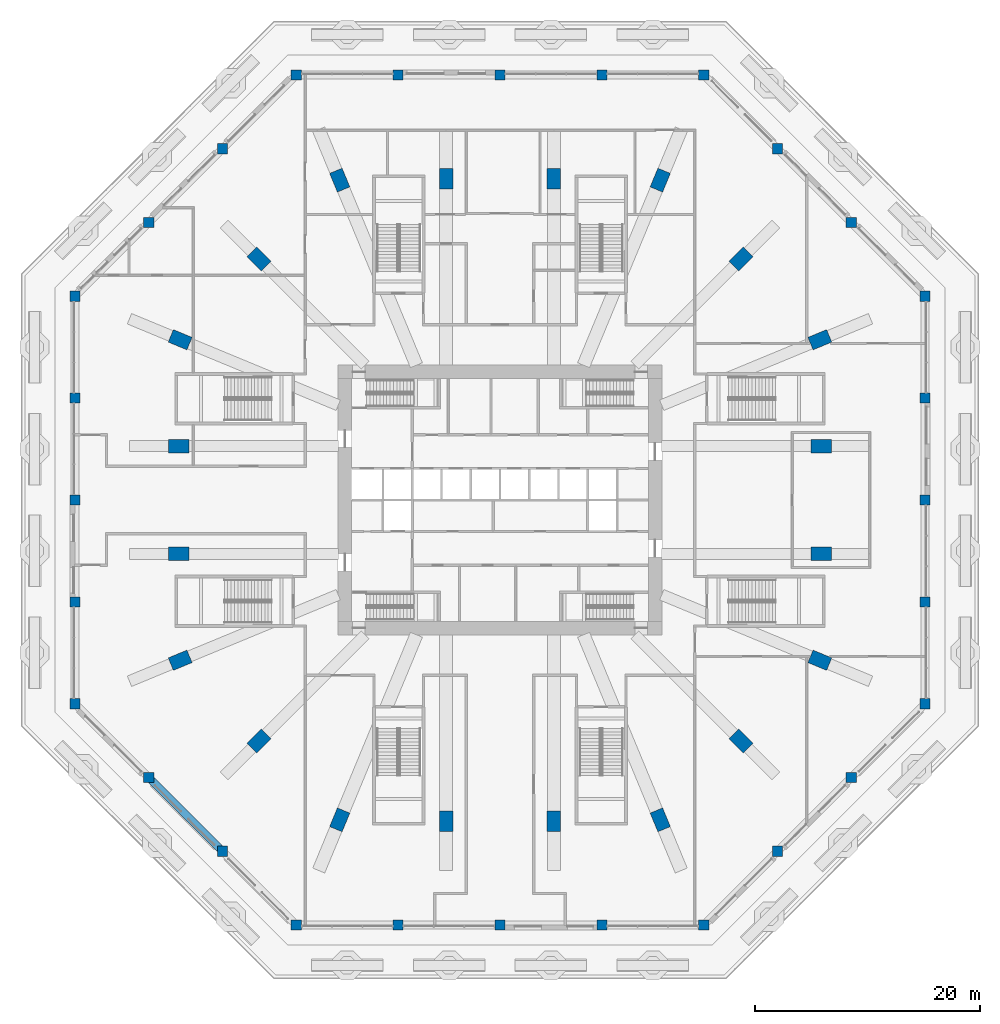
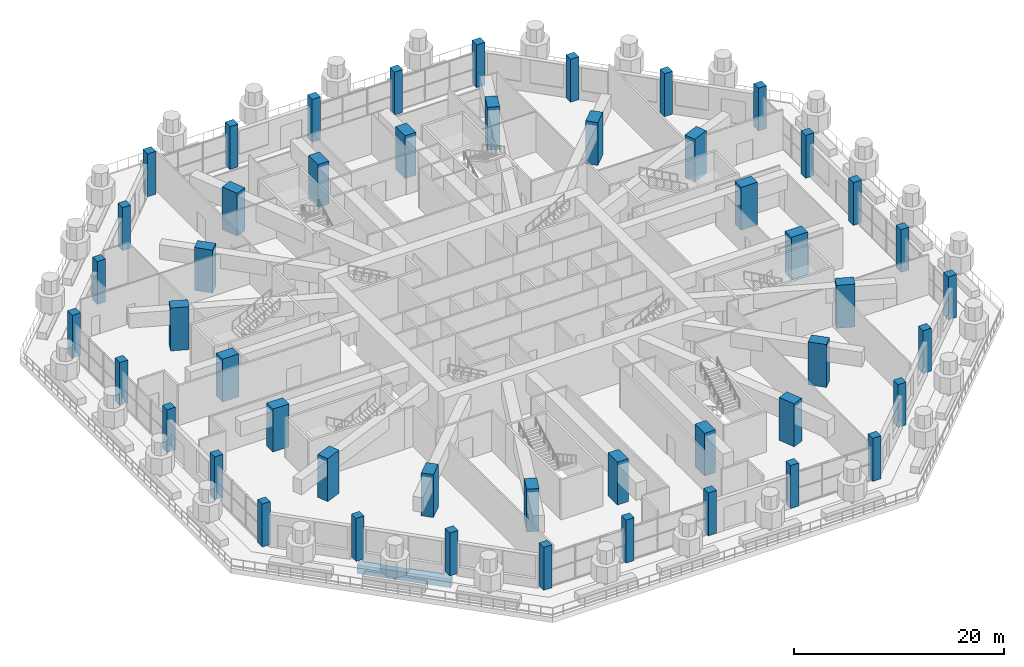
# One storey, part 1 of 25: 48 columns, 1 beam.
"""IFC4 building model written with IfcOpenShell, lengths in metres."""

from ifc_helpers import new_model, si_unit, direction, frame, origin, origin_2d, place, context, subcontext, project, spatial, rectangle, extrude, material, material_profile, profile_set, type_object, element, save


model = new_model("IFC4")

# Units and contexts
model_context = context("Model", 3, precision=1e-05, world=origin(), true_north=direction((0.0, 1.0)))
body_context = subcontext(model_context, "Body", "Model", "MODEL_VIEW")
ifc_project = project(units=[si_unit("LENGTHUNIT", "METRE"), si_unit("AREAUNIT", "SQUARE_METRE"), si_unit("VOLUMEUNIT", "CUBIC_METRE"), si_unit("PLANEANGLEUNIT", "RADIAN"), si_unit("MASSUNIT", "GRAM", prefix="KILO")], contexts=[model_context])

# Site, building, storey
site_placement = place(None, origin())
site = spatial("IfcSite", under=ifc_project, at=site_placement, CompositionType="ELEMENT")
building_placement = place(site_placement, origin())
building = spatial("IfcBuilding", under=site, at=building_placement, Name="Msitu Wima Residences", CompositionType="ELEMENT")
storey_placement = place(building_placement, frame((0.0, 0.0, 11.0)))
storey = spatial("IfcBuildingStorey", under=building, at=storey_placement, Name="L02", CompositionType="ELEMENT", Elevation=11.0)

# Columns
ifc_material_1 = material(Name="Concrete C60/75", Category="concrete")
ifc_material_profile_1 = material_profile(ifc_material_1, rectangle(XDim=0.89990234375, YDim=0.89990234375, at=origin_2d()), Name="RC 900x900")
ifc_profile_set_1 = profile_set([ifc_material_profile_1], Name="Concrete C60/75")
column_type_1 = type_object("IfcColumnType", Name="Base column CB09 900x900", PredefinedType="COLUMN", material=ifc_profile_set_1)
for number, where, z_axis, x_axis, name in (
    (1, (-18.1279296875, -37.800048828125, 0.0), (0.0, 0.0, 1.0), (1.0, 0.0, 0.0), "Column -18.1/-37.8 L02"),
    (2, (-9.06396484375, -37.800048828125, 0.0), (0.0, 0.0, 1.0), (1.0, 0.0, 0.0), "Column -9.1/-37.8 L02"),
    (3, (0.0, -37.800048828125, 0.0), (0.0, 0.0, 1.0), (1.0, 0.0, 0.0), "Column 12/-37.8 L02"),
    (4, (9.06396484375, -37.800048828125, 0.0), (0.0, 0.0, 1.0), (1.0, 0.0, 0.0), "Column +9.1/-37.8 L02"),
    (5, (18.1279296875, -37.800048828125, 0.0), (0.0, 0.0, 1.0), (1.0, 0.0, 0.0), "Column +18.1/-37.8 L02"),
    (6, (-24.685302734375, -31.24267578125, 0.0), (0.0, 0.0, 1.0), (1.0, 0.0, 0.0), "Column -24.7/-31.2 L02"),
    (7, (24.685302734375, -31.24267578125, 0.0), (0.0, 0.0, 1.0), (1.0, 0.0, 0.0), "Column +24.7/-31.2 L02"),
    (8, (-31.24267578125, -24.685302734375, 0.0), (0.0, 0.0, 1.0), (1.0, 0.0, 0.0), "Column -31.2/-24.7 L02"),
    (9, (31.24267578125, -24.685302734375, 0.0), (0.0, 0.0, 1.0), (1.0, 0.0, 0.0), "Column +31.2/-24.7 L02"),
    (10, (-37.800048828125, -18.1279296875, 0.0), (0.0, 0.0, 1.0), (1.0, 0.0, 0.0), "Column -37.8/-18.1 L02"),
    (11, (37.800048828125, -18.1279296875, 0.0), (0.0, 0.0, 1.0), (1.0, 0.0, 0.0), "Column +37.8/-18.1 L02"),
    (12, (-37.800048828125, -9.06396484375, 0.0), (0.0, 0.0, 1.0), (1.0, 0.0, 0.0), "Column -37.8/-9.1 L02"),
    (13, (37.800048828125, -9.06396484375, 0.0), (0.0, 0.0, 1.0), (1.0, 0.0, 0.0), "Column +37.8/-9.1 L02"),
    (14, (-37.800048828125, 0.0, 0.0), (0.0, 0.0, 1.0), (1.0, 0.0, 0.0), "Column -37.8/M L02"),
    (15, (37.800048828125, 0.0, 0.0), (0.0, 0.0, 1.0), (1.0, 0.0, 0.0), "Column +37.8/M L02"),
    (16, (-37.800048828125, 9.06396484375, 0.0), (0.0, 0.0, 1.0), (1.0, 0.0, 0.0), "Column -37.8/+9.1 L02"),
    (17, (37.800048828125, 9.06396484375, 0.0), (0.0, 0.0, 1.0), (1.0, 0.0, 0.0), "Column +37.8/+9.1 L02"),
    (18, (-37.800048828125, 18.1279296875, 0.0), (0.0, 0.0, 1.0), (1.0, 0.0, 0.0), "Column -37.8/+18.1 L02"),
    (19, (37.800048828125, 18.1279296875, 0.0), (0.0, 0.0, 1.0), (1.0, 0.0, 0.0), "Column +37.8/+18.1 L02"),
    (20, (-31.24267578125, 24.685302734375, 0.0), (0.0, 0.0, 1.0), (1.0, 0.0, 0.0), "Column -31.2/+24.7 L02"),
    (21, (31.24267578125, 24.685302734375, 0.0), (0.0, 0.0, 1.0), (1.0, 0.0, 0.0), "Column +31.2/+24.7 L02"),
    (22, (-24.685302734375, 31.24267578125, 0.0), (0.0, 0.0, 1.0), (1.0, 0.0, 0.0), "Column -24.7/+31.2 L02"),
    (23, (24.685302734375, 31.24267578125, 0.0), (0.0, 0.0, 1.0), (1.0, 0.0, 0.0), "Column +24.7/+31.2 L02"),
    (24, (-18.1279296875, 37.800048828125, 0.0), (0.0, 0.0, 1.0), (1.0, 0.0, 0.0), "Column -18.1/+37.8 L02"),
    (25, (-9.06396484375, 37.800048828125, 0.0), (0.0, 0.0, 1.0), (1.0, 0.0, 0.0), "Column -9.1/+37.8 L02"),
    (26, (0.0, 37.800048828125, 0.0), (0.0, 0.0, 1.0), (1.0, 0.0, 0.0), "Column 12/+37.8 L02"),
    (27, (9.06396484375, 37.800048828125, 0.0), (0.0, 0.0, 1.0), (1.0, 0.0, 0.0), "Column +9.1/+37.8 L02"),
    (28, (18.1279296875, 37.800048828125, 0.0), (0.0, 0.0, 1.0), (1.0, 0.0, 0.0), "Column +18.1/+37.8 L02"),
):
    element("IfcColumn", number, at=place(storey_placement, frame(where, z_axis=z_axis, x_axis=x_axis)), inside=storey, type_object=column_type_1, Name=name, PredefinedType="COLUMN", context=body_context, shape_type="SweptSolid", body=[
        extrude(rectangle(XDim=0.89990234375, YDim=0.89990234375, at=origin_2d()), origin(), (0.0, 0.0, 1.0), 5.0),
    ])
ifc_material_2 = material(Name="Concrete C70/85", Category="concrete")
ifc_material_profile_2 = material_profile(ifc_material_2, rectangle(XDim=1.199951171875, YDim=1.800048828125, at=origin_2d()), Name="RC 1200x1800")
ifc_profile_set_2 = profile_set([ifc_material_profile_2], Name="Concrete C70/85")
column_type_2 = type_object("IfcColumnType", Name="Base column CB18 1200x1800", PredefinedType="COLUMN", material=ifc_profile_set_2)
for number, where, z_axis, x_axis, name in (
    (29, (-4.800048828125, -28.574951171875, 0.0), (0.0, 0.0, 1.0), (1.0, 0.0, 0.0), "Column 11/-28.6 L02"),
    (30, (4.800048828125, -28.574951171875, 0.0), (0.0, 0.0, 1.0), (1.0, 0.0, 0.0), "Column 13/-28.6 L02"),
    (31, (-14.2568359375, -28.4541015625, 0.0), (0.0, 0.0, 1.0), (0.923879505795, -0.382683496864, 0.0), "Column -14.3/-28.5 L02"),
    (32, (14.2568359375, -28.4541015625, 0.0), (0.0, 0.0, 1.0), (0.923879505795, 0.382683496864, 0.0), "Column +14.3/-28.5 L02"),
    (33, (-21.44091796875, -21.44091796875, 0.0), (0.0, 0.0, 1.0), (0.707106781187, -0.707106781187, 0.0), "Column -21.4/-21.4 L02"),
    (34, (21.44091796875, -21.44091796875, 0.0), (0.0, 0.0, 1.0), (0.707106781187, 0.707106781187, 0.0), "Column +21.4/-21.4 L02"),
    (35, (-28.4541015625, -14.2568359375, 0.0), (0.0, 0.0, 1.0), (0.382683496864, -0.923879505795, 0.0), "Column -28.5/-14.3 L02"),
    (36, (28.4541015625, -14.2568359375, 0.0), (0.0, 0.0, 1.0), (0.382683496864, 0.923879505795, 0.0), "Column +28.5/-14.3 L02"),
    (37, (-28.574951171875, -4.800048828125, 0.0), (0.0, 0.0, 1.0), (0.0, -1.0, 0.0), "Column -28.6/L L02"),
    (38, (28.574951171875, -4.800048828125, 0.0), (0.0, 0.0, 1.0), (0.0, 1.0, 0.0), "Column +28.6/L L02"),
    (39, (-28.574951171875, 4.800048828125, 0.0), (0.0, 0.0, 1.0), (0.0, -1.0, 0.0), "Column -28.6/N L02"),
    (40, (28.574951171875, 4.800048828125, 0.0), (0.0, 0.0, 1.0), (0.0, 1.0, 0.0), "Column +28.6/N L02"),
    (41, (-28.4541015625, 14.2568359375, 0.0), (0.0, 0.0, 1.0), (-0.382683496864, -0.923879505795, 0.0), "Column -28.5/+14.3 L02"),
    (42, (28.4541015625, 14.2568359375, 0.0), (0.0, 0.0, 1.0), (-0.382683496864, 0.923879505795, 0.0), "Column +28.5/+14.3 L02"),
    (43, (-21.44091796875, 21.44091796875, 0.0), (0.0, 0.0, 1.0), (-0.707106781187, -0.707106781187, 0.0), "Column -21.4/+21.4 L02"),
    (44, (21.44091796875, 21.44091796875, 0.0), (0.0, 0.0, 1.0), (-0.707106781187, 0.707106781187, 0.0), "Column +21.4/+21.4 L02"),
    (45, (-14.2568359375, 28.4541015625, 0.0), (0.0, 0.0, 1.0), (-0.923879505795, -0.382683496864, 0.0), "Column -14.3/+28.5 L02"),
    (46, (14.2568359375, 28.4541015625, 0.0), (0.0, 0.0, 1.0), (-0.923879505795, 0.382683496864, 0.0), "Column +14.3/+28.5 L02"),
    (47, (-4.800048828125, 28.574951171875, 0.0), (0.0, 0.0, 1.0), (-1.0, 0.0, 0.0), "Column 11/+28.6 L02"),
    (48, (4.800048828125, 28.574951171875, 0.0), (0.0, 0.0, 1.0), (-1.0, 0.0, 0.0), "Column 13/+28.6 L02"),
):
    element("IfcColumn", number, at=place(storey_placement, frame(where, z_axis=z_axis, x_axis=x_axis)), inside=storey, type_object=column_type_2, Name=name, PredefinedType="COLUMN", context=body_context, shape_type="SweptSolid", body=[
        extrude(rectangle(XDim=1.199951171875, YDim=1.800048828125, at=origin_2d()), origin(), (0.0, 0.0, 1.0), 5.0),
    ])

# Beam
ifc_material_profile_3 = material_profile(ifc_material_1, rectangle(XDim=0.699951171875, YDim=1.0, at=origin_2d()), Name="RC 700x1000")
ifc_profile_set_3 = profile_set([ifc_material_profile_3], Name="Concrete C60/75")
beam_type = type_object("IfcBeamType", Name="Terrace beam RC 700x1000 Concrete C60/75", PredefinedType="BEAM", material=ifc_profile_set_3)
beam_placement = place(storey_placement, frame((-31.24267578125, -24.685302734375, -1.10009765625), z_axis=(0.707106781187, -0.707106781187, 0.0), x_axis=(0.707106781187, 0.707106781187, 0.0)))
element("IfcBeam", 49, at=beam_placement, inside=storey, type_object=beam_type, Name="Terrace upstand-line beam L02 C-SW1", PredefinedType="BEAM", context=body_context, shape_type="SweptSolid", body=[
    extrude(rectangle(XDim=0.699951171875, YDim=1.0, at=origin_2d()), origin(), (0.0, 0.0, 1.0), 9.2734375),
])

save(model, "model.ifc")
